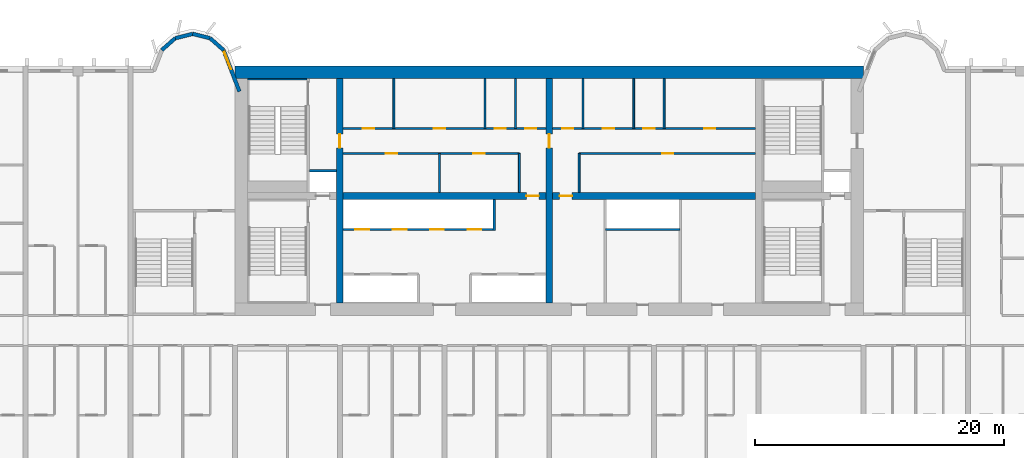
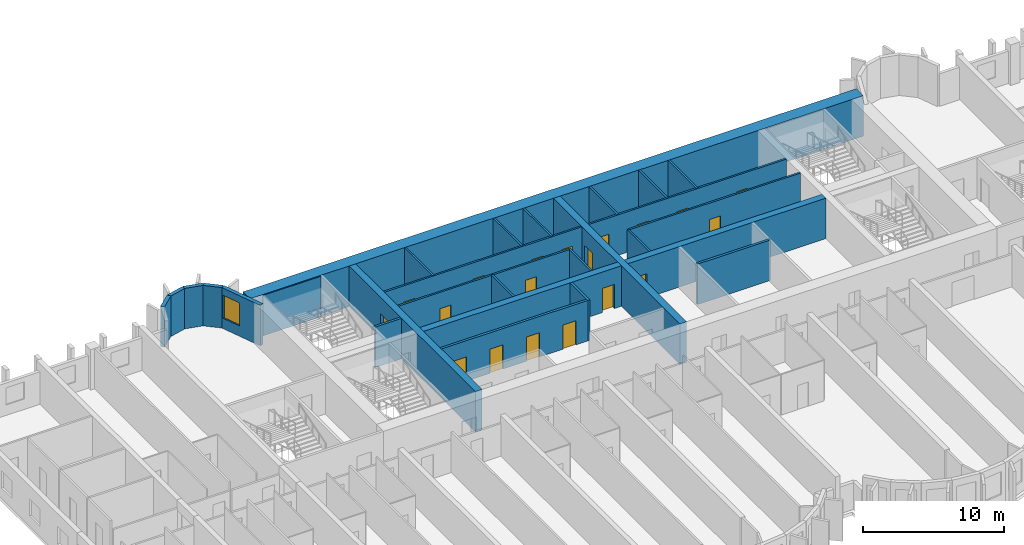
# One storey, part 7 of 15: 28 walls, 19 doors, 1 window, 20 openings.
"""IFC4 building model written with IfcOpenShell, lengths in metres."""

from ifc_helpers import new_model, si_unit, direction, frame, frame_2d, origin, place, context, subcontext, project, spatial, rectangle, extrude, source, transform, mapped, material, layer, layer_set, type_object, element, fill, save


model = new_model("IFC4")

# Units and contexts
model_context = context("Model", 3, precision=1e-05, world=origin(), true_north=direction((0.0, 1.0)))
body_context = subcontext(model_context, "Body", "Model", "MODEL_VIEW")
ifc_project = project(units=[si_unit("LENGTHUNIT", "METRE"), si_unit("AREAUNIT", "SQUARE_METRE"), si_unit("VOLUMEUNIT", "CUBIC_METRE"), si_unit("PLANEANGLEUNIT", "RADIAN"), si_unit("MASSUNIT", "GRAM", prefix="KILO")], contexts=[model_context])

# Site, building, storey
site_placement = place(None, origin())
site = spatial("IfcSite", under=ifc_project, at=site_placement, CompositionType="ELEMENT")
building_placement = place(site_placement, origin())
building = spatial("IfcBuilding", under=site, at=building_placement, Name="Vanashikhar Sky Hotel", CompositionType="ELEMENT")
storey_placement = place(building_placement, frame((0.0, 0.0, 77.199951171875)))
storey = spatial("IfcBuildingStorey", under=building, at=storey_placement, Name="L18", CompositionType="ELEMENT", Elevation=77.199951171875)

# Wall
ifc_material_1 = material(Name="Concrete M80", Category="concrete")
ifc_layer_1 = layer(ifc_material_1, 1.0)
ifc_layer_set_1 = layer_set([ifc_layer_1], Name="RC core shell wall 1000 Concrete M80")
wall_type_1 = type_object("IfcWallType", Name="RC core shell wall 1000 Concrete M80", PredefinedType="SHEAR", material=ifc_layer_set_1)
shared_shape_1 = source(origin(), body_context, "Body", "SweptSolid", [
    extrude(rectangle(XDim=50.400146484375, YDim=1.0, at=frame_2d((25.2001953125, 0.0))), origin(), (0.0, 0.0, 1.0), 3.52001953125),
])
wall_1_placement = place(storey_placement, frame((25.199951171875, 41.5, 0.0), z_axis=(0.0, 0.0, 1.0), x_axis=(1.0, 0.0, 0.0)))
element("IfcWall", 1, at=wall_1_placement, inside=storey, type_object=wall_type_1, Name="KW-L18-KN", PredefinedType="SHEAR", context=body_context, shape_type="MappedRepresentation", body=[
    mapped(shared_shape_1, transform((0.0, 0.0, 0.0), scale=1.0)),
])

# Wall, opening, door
ifc_layer_2 = layer(ifc_material_1, 0.550048828125)
ifc_layer_set_2 = layer_set([ifc_layer_2], Name="RC core inner wall 550 Concrete M80")
wall_type_2 = type_object("IfcWallType", Name="RC core inner wall 550 Concrete M80", PredefinedType="SHEAR", material=ifc_layer_set_2)
shared_shape_2 = source(origin(), body_context, "Body", "SweptSolid", [
    extrude(rectangle(XDim=18.0, YDim=0.550048828125, at=frame_2d((9.0, 0.0))), origin(), (0.0, 0.0, 1.0), 3.52001953125),
])
wall_2_placement = place(storey_placement, frame((33.60009765625, 23.0, 0.0), z_axis=(0.0, 0.0, 1.0), x_axis=(0.0, 1.0, 0.0)))
wall_2 = element("IfcWall", 2, at=wall_2_placement, inside=storey, type_object=wall_type_2, Name="KW-L18-KX1", PredefinedType="SHEAR", context=body_context, shape_type="MappedRepresentation", body=[
    mapped(shared_shape_2, transform((0.0, 0.0, 0.0), scale=1.0)),
])
shared_shape_3 = source(origin(), body_context, "Body", "SweptSolid", [
    extrude(rectangle(XDim=1.10009765625, YDim=2.10009765625, at=frame_2d((0.550048828125, 1.050048828125))), frame((0.0, 0.28515625, 0.0), z_axis=(0.0, -1.0, 0.0), x_axis=(1.0, 0.0, 0.0)), (0.0, 0.0, 1.0), 0.570068359375),
])
opening_1_placement = place(wall_2_placement, frame((12.449951171875, 0.0, 0.0)))
opening_1 = element("IfcOpeningElement", 3, at=opening_1_placement, cuts=wall_2, Name="Opening DC-4-C", PredefinedType="OPENING", context=body_context, shape_type="MappedRepresentation", body=[
    mapped(shared_shape_3, transform((0.0, 0.0, 0.0), scale=1.0)),
])
ifc_material_2 = material(Name="Steel", Category="steel")
door_type_1 = type_object("IfcDoorType", Name="Service door 1100 FD60", OperationType="NOTDEFINED", PredefinedType="DOOR", material=ifc_material_2)
shared_shape_4 = source(origin(), body_context, "Body", "SweptSolid", [
    extrude(rectangle(XDim=1.10009765625, YDim=2.10009765625, at=frame_2d((0.550048828125, 1.050048828125))), frame((0.0, 0.02490234375, 0.0), z_axis=(0.0, -1.0, 0.0), x_axis=(1.0, 0.0, 0.0)), (0.0, 0.0, 1.0), 0.050048828125),
])
door_1_placement = place(opening_1_placement, origin())
door_1 = element("IfcDoor", 4, at=door_1_placement, inside=storey, type_object=door_type_1, Name="Service door 1100 FD60", OperationType="SINGLE_SWING_LEFT", OverallHeight=2.10009765625, OverallWidth=1.10009765625, PredefinedType="DOOR", context=body_context, shape_type="MappedRepresentation", body=[
    mapped(shared_shape_4, transform((0.0, 0.0, 0.0), scale=1.0)),
])
fill(opening_1, door_1)

wall_3_placement = place(storey_placement, frame((50.39990234375, 23.0, 0.0), z_axis=(0.0, 0.0, 1.0), x_axis=(0.0, 1.0, 0.0)))
wall_3 = element("IfcWall", 5, at=wall_3_placement, inside=storey, type_object=wall_type_2, Name="KW-L18-KX2", PredefinedType="SHEAR", context=body_context, shape_type="MappedRepresentation", body=[
    mapped(shared_shape_2, transform((0.0, 0.0, 0.0), scale=1.0)),
])
opening_2_placement = place(wall_3_placement, frame((12.449951171875, 0.0, 0.0)))
opening_2 = element("IfcOpeningElement", 6, at=opening_2_placement, cuts=wall_3, Name="Opening DC-4-C", PredefinedType="OPENING", context=body_context, shape_type="MappedRepresentation", body=[
    mapped(shared_shape_3, transform((0.0, 0.0, 0.0), scale=1.0)),
])
door_2_placement = place(opening_2_placement, origin())
door_2 = element("IfcDoor", 7, at=door_2_placement, inside=storey, type_object=door_type_1, Name="Service door 1100 FD60", OperationType="SINGLE_SWING_RIGHT", OverallHeight=2.10009765625, OverallWidth=1.10009765625, PredefinedType="DOOR", context=body_context, shape_type="MappedRepresentation", body=[
    mapped(shared_shape_4, transform((0.0, 0.0, 0.0), scale=1.0)),
])
fill(opening_2, door_2)

shared_shape_5 = source(origin(), body_context, "Body", "SweptSolid", [
    extrude(rectangle(XDim=16.25, YDim=0.550048828125, at=frame_2d((8.125, 0.0))), origin(), (0.0, 0.0, 1.0), 3.52001953125),
])
wall_4_placement = place(storey_placement, frame((33.875, 31.60009765625, 0.0), z_axis=(0.0, 0.0, 1.0), x_axis=(1.0, 0.0, 0.0)))
wall_4 = element("IfcWall", 8, at=wall_4_placement, inside=storey, type_object=wall_type_2, Name="KW-L18-KY2", PredefinedType="SHEAR", context=body_context, shape_type="MappedRepresentation", body=[
    mapped(shared_shape_5, transform((0.0, 0.0, 0.0), scale=1.0)),
])
shared_shape_6 = source(origin(), body_context, "Body", "SweptSolid", [
    extrude(rectangle(XDim=1.0, YDim=2.10009765625, at=frame_2d((0.5, 1.050048828125))), frame((0.0, 0.28515625, 0.0), z_axis=(0.0, -1.0, 0.0), x_axis=(1.0, 0.0, 0.0)), (0.0, 0.0, 1.0), 0.570068359375),
])
opening_3_placement = place(wall_4_placement, frame((14.68701171875, 0.0, 0.0)))
opening_3 = element("IfcOpeningElement", 9, at=opening_3_placement, cuts=wall_4, Name="Opening DC-4", PredefinedType="OPENING", context=body_context, shape_type="MappedRepresentation", body=[
    mapped(shared_shape_6, transform((0.0, 0.0, 0.0), scale=1.0)),
])
door_type_2 = type_object("IfcDoorType", Name="Service door 1000 FD60", OperationType="NOTDEFINED", PredefinedType="DOOR", material=ifc_material_2)
shared_shape_7 = source(origin(), body_context, "Body", "SweptSolid", [
    extrude(rectangle(XDim=1.0, YDim=2.10009765625, at=frame_2d((0.5, 1.050048828125))), frame((0.0, 0.02490234375, 0.0), z_axis=(0.0, -1.0, 0.0), x_axis=(1.0, 0.0, 0.0)), (0.0, 0.0, 1.0), 0.050048828125),
])
door_3_placement = place(opening_3_placement, origin())
door_3 = element("IfcDoor", 10, at=door_3_placement, inside=storey, type_object=door_type_2, Name="Service door 1000 FD60", OperationType="SINGLE_SWING_LEFT", OverallHeight=2.10009765625, OverallWidth=1.0, PredefinedType="DOOR", context=body_context, shape_type="MappedRepresentation", body=[
    mapped(shared_shape_7, transform((0.0, 0.0, 0.0), scale=1.0)),
])
fill(opening_3, door_3)

wall_5_placement = place(storey_placement, frame((50.675048828125, 31.60009765625, 0.0), z_axis=(0.0, 0.0, 1.0), x_axis=(1.0, 0.0, 0.0)))
wall_5 = element("IfcWall", 11, at=wall_5_placement, inside=storey, type_object=wall_type_2, Name="KW-L18-KY3", PredefinedType="SHEAR", context=body_context, shape_type="MappedRepresentation", body=[
    mapped(shared_shape_5, transform((0.0, 0.0, 0.0), scale=1.0)),
])
opening_4_placement = place(wall_5_placement, frame((0.56201171875, 0.0, 0.0)))
opening_4 = element("IfcOpeningElement", 12, at=opening_4_placement, cuts=wall_5, Name="Opening DC-4", PredefinedType="OPENING", context=body_context, shape_type="MappedRepresentation", body=[
    mapped(shared_shape_6, transform((0.0, 0.0, 0.0), scale=1.0)),
])
door_4_placement = place(opening_4_placement, origin())
door_4 = element("IfcDoor", 13, at=door_4_placement, inside=storey, type_object=door_type_2, Name="Service door 1000 FD60", OperationType="SINGLE_SWING_LEFT", OverallHeight=2.10009765625, OverallWidth=1.0, PredefinedType="DOOR", context=body_context, shape_type="MappedRepresentation", body=[
    mapped(shared_shape_7, transform((0.0, 0.0, 0.0), scale=1.0)),
])
fill(opening_4, door_4)

# Wall, opening, window
ifc_material_3 = material(Name="Concrete M50", Category="concrete")
ifc_layer_3 = layer(ifc_material_3, 0.300048828125)
ifc_layer_set_3 = layer_set([ifc_layer_3], Name="Lobe wall 300")
wall_type_3 = type_object("IfcWallType", Name="Lobe wall 300", PredefinedType="SOLIDWALL", material=ifc_layer_set_3)
shared_shape_8 = source(origin(), body_context, "Body", "SweptSolid", [
    extrude(rectangle(XDim=3.55908203125, YDim=0.300048828125, at=frame_2d((1.779541015625, 0.0))), origin(), (0.0, 0.0, 1.0), 3.52001953125),
])
wall_6_placement = place(storey_placement, frame((25.550048828125, 39.968505859375, 0.0), z_axis=(0.0, 0.0, 1.0), x_axis=(-0.35779745313, 0.933799219604, 0.0)))
wall_6 = element("IfcWall", 14, at=wall_6_placement, inside=storey, type_object=wall_type_3, Name="Lobe wall", PredefinedType="SOLIDWALL", context=body_context, shape_type="MappedRepresentation", body=[
    mapped(shared_shape_8, transform((0.0, 0.0, 0.0), scale=1.0)),
])
shared_shape_9 = source(origin(), body_context, "Body", "SweptSolid", [
    extrude(rectangle(XDim=1.5, YDim=2.0, at=frame_2d((0.75, 1.0))), frame((0.0, 0.16015625, 0.0), z_axis=(0.0, -1.0, 0.0), x_axis=(1.0, 0.0, 0.0)), (0.0, 0.0, 1.0), 0.320068359375),
])
opening_5_placement = place(wall_6_placement, frame((1.9033203125, 0.0, 0.89990234375)))
opening_5 = element("IfcOpeningElement", 15, at=opening_5_placement, cuts=wall_6, Name="Opening WN-2", PredefinedType="OPENING", context=body_context, shape_type="MappedRepresentation", body=[
    mapped(shared_shape_9, transform((0.0, 0.0, 0.0), scale=1.0)),
])
ifc_material_4 = material(Name="Glass", Category="glass")
window_type = type_object("IfcWindowType", Name="Lobe window 1500 x 2000", PartitioningType="SINGLE_PANEL", PredefinedType="WINDOW", material=ifc_material_4)
shared_shape_10 = source(origin(), body_context, "Body", "SweptSolid", [
    extrude(rectangle(XDim=1.5, YDim=2.0, at=frame_2d((0.75, 1.0))), frame((0.0, 0.030029296875, 0.0), z_axis=(0.0, -1.0, 0.0), x_axis=(1.0, 0.0, 0.0)), (0.0, 0.0, 1.0), 0.06005859375),
])
window_placement = place(opening_5_placement, origin())
window = element("IfcWindow", 16, at=window_placement, inside=storey, type_object=window_type, Name="Window WN-2", OverallHeight=2.0, OverallWidth=1.5, PartitioningType="SINGLE_PANEL", PredefinedType="WINDOW", context=body_context, shape_type="MappedRepresentation", body=[
    mapped(shared_shape_10, transform((0.0, 0.0, 0.0), scale=1.0)),
])
fill(opening_5, window)

# Walls
shared_shape_11 = source(origin(), body_context, "Body", "SweptSolid", [
    extrude(rectangle(XDim=1.440185546875, YDim=0.300048828125, at=frame_2d((0.72021484375, 0.0))), origin(), (0.0, 0.0, 1.0), 3.52001953125),
])
wall_7_placement = place(storey_placement, frame((24.276611328125, 43.2919921875, 0.0), z_axis=(0.0, 0.0, 1.0), x_axis=(-0.749649827867, 0.661834673902, 0.0)))
element("IfcWall", 17, at=wall_7_placement, inside=storey, type_object=wall_type_3, Name="Lobe wall", PredefinedType="SOLIDWALL", context=body_context, shape_type="MappedRepresentation", body=[
    mapped(shared_shape_11, transform((0.0, 0.0, 0.0), scale=1.0)),
])
shared_shape_12 = source(origin(), body_context, "Body", "SweptSolid", [
    extrude(rectangle(XDim=1.4384765625, YDim=0.300048828125, at=frame_2d((0.71923828125, 0.0))), origin(), (0.0, 0.0, 1.0), 3.52001953125),
])
wall_8_placement = place(storey_placement, frame((23.197021484375, 44.2451171875, 0.0), z_axis=(0.0, 0.0, 1.0), x_axis=(-0.971152283879, 0.238460146601, 0.0)))
element("IfcWall", 18, at=wall_8_placement, inside=storey, type_object=wall_type_3, Name="Lobe wall", PredefinedType="SOLIDWALL", context=body_context, shape_type="MappedRepresentation", body=[
    mapped(shared_shape_12, transform((0.0, 0.0, 0.0), scale=1.0)),
])
shared_shape_13 = source(origin(), body_context, "Body", "SweptSolid", [
    extrude(rectangle(XDim=1.438720703125, YDim=0.300048828125, at=frame_2d((0.71923828125, 0.0))), origin(), (0.0, 0.0, 1.0), 3.52001953125),
])
wall_9_placement = place(storey_placement, frame((21.800048828125, 44.588134765625, 0.0), z_axis=(0.0, 0.0, 1.0), x_axis=(-0.971161932466, -0.238420848351, 0.0)))
element("IfcWall", 19, at=wall_9_placement, inside=storey, type_object=wall_type_3, Name="Lobe wall", PredefinedType="SOLIDWALL", context=body_context, shape_type="MappedRepresentation", body=[
    mapped(shared_shape_13, transform((0.0, 0.0, 0.0), scale=1.0)),
])
shared_shape_14 = source(origin(), body_context, "Body", "SweptSolid", [
    extrude(rectangle(XDim=1.43994140625, YDim=0.300048828125, at=frame_2d((0.719970703125, 0.0))), origin(), (0.0, 0.0, 1.0), 3.52001953125),
])
wall_10_placement = place(storey_placement, frame((20.40283203125, 44.2451171875, 0.0), z_axis=(0.0, 0.0, 1.0), x_axis=(-0.74957555648, -0.661918790432, 0.0)))
element("IfcWall", 20, at=wall_10_placement, inside=storey, type_object=wall_type_3, Name="Lobe wall", PredefinedType="SOLIDWALL", context=body_context, shape_type="MappedRepresentation", body=[
    mapped(shared_shape_14, transform((0.0, 0.0, 0.0), scale=1.0)),
])
ifc_material_5 = material(Name="Concrete M40", Category="concrete")
ifc_layer_4 = layer(ifc_material_5, 0.199951171875)
ifc_layer_set_4 = layer_set([ifc_layer_4], Name="Shaft wall 200")
wall_type_4 = type_object("IfcWallType", Name="Shaft wall 200", PredefinedType="SOLIDWALL", material=ifc_layer_set_4)
shared_shape_15 = source(origin(), body_context, "Body", "SweptSolid", [
    extrude(rectangle(XDim=6.0, YDim=0.199951171875, at=frame_2d((3.0, 0.0))), origin(), (0.0, 0.0, 1.0), 3.52001953125),
])
wall_11_placement = place(storey_placement, frame((60.89990234375, 28.89990234375, 0.0), z_axis=(0.0, 0.0, 1.0), x_axis=(-1.0, 0.0, 0.0)))
element("IfcWall", 21, at=wall_11_placement, inside=storey, type_object=wall_type_4, Name="Shaft wall 200", PredefinedType="SOLIDWALL", context=body_context, shape_type="MappedRepresentation", body=[
    mapped(shared_shape_15, transform((0.0, 0.0, 0.0), scale=1.0)),
])
ifc_layer_5 = layer(ifc_material_3, 0.10009765625)
ifc_layer_set_5 = layer_set([ifc_layer_5], Name="Stair infill wall 100")
wall_type_5 = type_object("IfcWallType", Name="Stair infill wall 100", PredefinedType="SOLIDWALL", material=ifc_layer_set_5)
shared_shape_16 = source(origin(), body_context, "Body", "SweptSolid", [
    extrude(rectangle(XDim=4.75, YDim=0.10009765625, at=frame_2d((2.375, 0.0))), origin(), (0.0, 0.0, 1.0), 3.52001953125),
])
wall_12_placement = place(storey_placement, frame((26.199951171875, 40.949951171875, 0.0), z_axis=(0.0, 0.0, 1.0), x_axis=(1.0, 0.0, 0.0)))
element("IfcWall", 22, at=wall_12_placement, inside=storey, type_object=wall_type_5, Name="Stair infill wall 100", PredefinedType="SOLIDWALL", context=body_context, shape_type="MappedRepresentation", body=[
    mapped(shared_shape_16, transform((0.0, 0.0, 0.0), scale=1.0)),
])

# Wall, openings, doors
shared_shape_17 = source(origin(), body_context, "Body", "SweptSolid", [
    extrude(rectangle(XDim=12.02490234375, YDim=0.199951171875, at=frame_2d((6.012451171875, 0.0))), origin(), (0.0, 0.0, 1.0), 3.52001953125),
])
wall_13_placement = place(storey_placement, frame((33.875, 28.89990234375, 0.0), z_axis=(0.0, 0.0, 1.0), x_axis=(1.0, 0.0, 0.0)))
wall_13 = element("IfcWall", 23, at=wall_13_placement, inside=storey, type_object=wall_type_4, Name="Shaft wall 200", PredefinedType="SOLIDWALL", context=body_context, shape_type="MappedRepresentation", body=[
    mapped(shared_shape_17, transform((0.0, 0.0, 0.0), scale=1.0)),
])
shared_shape_18 = source(origin(), body_context, "Body", "SweptSolid", [
    extrude(rectangle(XDim=1.10009765625, YDim=2.10009765625, at=frame_2d((0.550048828125, 1.050048828125))), frame((0.0, 0.10986328125, 0.0), z_axis=(0.0, -1.0, 0.0), x_axis=(1.0, 0.0, 0.0)), (0.0, 0.0, 1.0), 0.219970703125),
])
opening_6_placement = place(wall_13_placement, frame((0.97509765625, 0.0, 0.0)))
opening_6 = element("IfcOpeningElement", 24, at=opening_6_placement, cuts=wall_13, Name="Opening LD", PredefinedType="OPENING", context=body_context, shape_type="MappedRepresentation", body=[
    mapped(shared_shape_18, transform((0.0, 0.0, 0.0), scale=1.0)),
])
opening_7_placement = place(wall_13_placement, frame((3.97509765625, 0.0, 0.0)))
opening_7 = element("IfcOpeningElement", 25, at=opening_7_placement, cuts=wall_13, Name="Opening LD", PredefinedType="OPENING", context=body_context, shape_type="MappedRepresentation", body=[
    mapped(shared_shape_18, transform((0.0, 0.0, 0.0), scale=1.0)),
])
opening_8_placement = place(wall_13_placement, frame((6.97509765625, 0.0, 0.0)))
opening_8 = element("IfcOpeningElement", 26, at=opening_8_placement, cuts=wall_13, Name="Opening LD", PredefinedType="OPENING", context=body_context, shape_type="MappedRepresentation", body=[
    mapped(shared_shape_18, transform((0.0, 0.0, 0.0), scale=1.0)),
])
opening_9_placement = place(wall_13_placement, frame((9.97509765625, 0.0, 0.0)))
opening_9 = element("IfcOpeningElement", 27, at=opening_9_placement, cuts=wall_13, Name="Opening LD", PredefinedType="OPENING", context=body_context, shape_type="MappedRepresentation", body=[
    mapped(shared_shape_18, transform((0.0, 0.0, 0.0), scale=1.0)),
])
ifc_material_6 = material(Name="Stainless steel", Category="steel")
door_type_3 = type_object("IfcDoorType", Name="Lift landing door 1100", OperationType="NOTDEFINED", PredefinedType="DOOR", material=ifc_material_6)
door_5_placement = place(opening_6_placement, origin())
door_5 = element("IfcDoor", 28, at=door_5_placement, inside=storey, type_object=door_type_3, Name="Lift landing door 1100", OperationType="SLIDING_TO_LEFT", OverallHeight=2.10009765625, OverallWidth=1.10009765625, PredefinedType="DOOR", context=body_context, shape_type="MappedRepresentation", body=[
    mapped(shared_shape_4, transform((0.0, 0.0, 0.0), scale=1.0)),
])
fill(opening_6, door_5)
door_6_placement = place(opening_7_placement, origin())
door_6 = element("IfcDoor", 29, at=door_6_placement, inside=storey, type_object=door_type_3, Name="Lift landing door 1100", OperationType="SLIDING_TO_RIGHT", OverallHeight=2.10009765625, OverallWidth=1.10009765625, PredefinedType="DOOR", context=body_context, shape_type="MappedRepresentation", body=[
    mapped(shared_shape_4, transform((0.0, 0.0, 0.0), scale=1.0)),
])
fill(opening_7, door_6)
door_7_placement = place(opening_8_placement, origin())
door_7 = element("IfcDoor", 30, at=door_7_placement, inside=storey, type_object=door_type_3, Name="Lift landing door 1100", OperationType="SLIDING_TO_LEFT", OverallHeight=2.10009765625, OverallWidth=1.10009765625, PredefinedType="DOOR", context=body_context, shape_type="MappedRepresentation", body=[
    mapped(shared_shape_4, transform((0.0, 0.0, 0.0), scale=1.0)),
])
fill(opening_8, door_7)
door_8_placement = place(opening_9_placement, origin())
door_8 = element("IfcDoor", 31, at=door_8_placement, inside=storey, type_object=door_type_3, Name="Lift landing door 1100", OperationType="SLIDING_TO_RIGHT", OverallHeight=2.10009765625, OverallWidth=1.10009765625, PredefinedType="DOOR", context=body_context, shape_type="MappedRepresentation", body=[
    mapped(shared_shape_4, transform((0.0, 0.0, 0.0), scale=1.0)),
])
fill(opening_9, door_8)

# Walls
shared_shape_19 = source(origin(), body_context, "Body", "SweptSolid", [
    extrude(rectangle(XDim=2.52490234375, YDim=0.199951171875, at=frame_2d((1.262451171875, 0.0))), origin(), (0.0, 0.0, 1.0), 3.52001953125),
])
wall_14_placement = place(storey_placement, frame((46.0, 28.800048828125, 0.0), z_axis=(0.0, 0.0, 1.0), x_axis=(0.0, 1.0, 0.0)))
element("IfcWall", 32, at=wall_14_placement, inside=storey, type_object=wall_type_4, Name="Shaft wall 200", PredefinedType="SOLIDWALL", context=body_context, shape_type="MappedRepresentation", body=[
    mapped(shared_shape_19, transform((0.0, 0.0, 0.0), scale=1.0)),
])
ifc_material_7 = material(Name="Gypsum board partition")
ifc_layer_6 = layer(ifc_material_7, 0.14990234375)
ifc_layer_set_6 = layer_set([ifc_layer_6], Name="Service partition 150")
wall_type_6 = type_object("IfcWallType", Name="Service partition 150", PredefinedType="PARTITIONING", material=ifc_layer_set_6)
shared_shape_20 = source(origin(), body_context, "Body", "SweptSolid", [
    extrude(rectangle(XDim=3.125, YDim=0.14990234375, at=frame_2d((1.5625, 0.0))), origin(), (0.0, 0.0, 1.0), 3.52001953125),
])
for number, where, z_axis, x_axis, name in (
    (33, (48.0, 31.875, 0.0), (0.0, 0.0, 1.0), (0.0, 1.0, 0.0), "Service partition 150"),
    (34, (41.60205078125, 31.875, 0.0), (0.0, 0.0, 1.0), (0.0, 1.0, 0.0), "Service partition 150"),
    (35, (52.800048828125, 31.875, 0.0), (0.0, 0.0, 1.0), (0.0, 1.0, 0.0), "Service partition 150"),
):
    element("IfcWall", number, at=place(storey_placement, frame(where, z_axis=z_axis, x_axis=x_axis)), inside=storey, type_object=wall_type_6, Name=name, PredefinedType="PARTITIONING", context=body_context, shape_type="MappedRepresentation", body=[
        mapped(shared_shape_20, transform((0.0, 0.0, 0.0), scale=1.0)),
    ])

# Wall, openings, doors
shared_shape_21 = source(origin(), body_context, "Body", "SweptSolid", [
    extrude(rectangle(XDim=14.125, YDim=0.14990234375, at=frame_2d((7.0625, 0.0))), origin(), (0.0, 0.0, 1.0), 3.52001953125),
])
wall_15_placement = place(storey_placement, frame((33.875, 35.0, 0.0), z_axis=(0.0, 0.0, 1.0), x_axis=(1.0, 0.0, 0.0)))
wall_15 = element("IfcWall", 36, at=wall_15_placement, inside=storey, type_object=wall_type_6, Name="Service partition 150", PredefinedType="PARTITIONING", context=body_context, shape_type="MappedRepresentation", body=[
    mapped(shared_shape_21, transform((0.0, 0.0, 0.0), scale=1.0)),
])
shared_shape_22 = source(origin(), body_context, "Body", "SweptSolid", [
    extrude(rectangle(XDim=0.89990234375, YDim=2.10009765625, at=frame_2d((0.449951171875, 1.050048828125))), frame((0.0, 0.0849609375, 0.0), z_axis=(0.0, -1.0, 0.0), x_axis=(1.0, 0.0, 0.0)), (0.0, 0.0, 1.0), 0.169921875),
])
opening_10_placement = place(wall_15_placement, frame((3.4140625, 0.0, 0.0)))
opening_10 = element("IfcOpeningElement", 37, at=opening_10_placement, cuts=wall_15, Name="Opening DC-4-A", PredefinedType="OPENING", context=body_context, shape_type="MappedRepresentation", body=[
    mapped(shared_shape_22, transform((0.0, 0.0, 0.0), scale=1.0)),
])
opening_11_placement = place(wall_15_placement, frame((10.43896484375, 0.0, 0.0)))
opening_11 = element("IfcOpeningElement", 38, at=opening_11_placement, cuts=wall_15, Name="Opening DC-4-A", PredefinedType="OPENING", context=body_context, shape_type="MappedRepresentation", body=[
    mapped(shared_shape_22, transform((0.0, 0.0, 0.0), scale=1.0)),
])
door_type_4 = type_object("IfcDoorType", Name="Service door 900 FD60", OperationType="NOTDEFINED", PredefinedType="DOOR", material=ifc_material_2)
shared_shape_23 = source(origin(), body_context, "Body", "SweptSolid", [
    extrude(rectangle(XDim=0.89990234375, YDim=2.10009765625, at=frame_2d((0.449951171875, 1.050048828125))), frame((0.0, 0.02490234375, 0.0), z_axis=(0.0, -1.0, 0.0), x_axis=(1.0, 0.0, 0.0)), (0.0, 0.0, 1.0), 0.050048828125),
])
door_9_placement = place(opening_10_placement, origin())
door_9 = element("IfcDoor", 39, at=door_9_placement, inside=storey, type_object=door_type_4, Name="Service door 900 FD60", OperationType="SINGLE_SWING_RIGHT", OverallHeight=2.10009765625, OverallWidth=0.89990234375, PredefinedType="DOOR", context=body_context, shape_type="MappedRepresentation", body=[
    mapped(shared_shape_23, transform((0.0, 0.0, 0.0), scale=1.0)),
])
fill(opening_10, door_9)
door_10_placement = place(opening_11_placement, origin())
door_10 = element("IfcDoor", 40, at=door_10_placement, inside=storey, type_object=door_type_4, Name="Service door 900 FD60", OperationType="SINGLE_SWING_RIGHT", OverallHeight=2.10009765625, OverallWidth=0.89990234375, PredefinedType="DOOR", context=body_context, shape_type="MappedRepresentation", body=[
    mapped(shared_shape_23, transform((0.0, 0.0, 0.0), scale=1.0)),
])
fill(opening_11, door_10)

# Wall, opening, door
wall_16_placement = place(storey_placement, frame((66.925048828125, 35.0, 0.0), z_axis=(0.0, 0.0, 1.0), x_axis=(-1.0, 0.0, 0.0)))
wall_16 = element("IfcWall", 41, at=wall_16_placement, inside=storey, type_object=wall_type_6, Name="Service partition 150", PredefinedType="PARTITIONING", context=body_context, shape_type="MappedRepresentation", body=[
    mapped(shared_shape_21, transform((0.0, 0.0, 0.0), scale=1.0)),
])
opening_12_placement = place(wall_16_placement, frame((6.574951171875, 0.0, 0.0)))
opening_12 = element("IfcOpeningElement", 42, at=opening_12_placement, cuts=wall_16, Name="Opening DC-4-A", PredefinedType="OPENING", context=body_context, shape_type="MappedRepresentation", body=[
    mapped(shared_shape_22, transform((0.0, 0.0, 0.0), scale=1.0)),
])
door_11_placement = place(opening_12_placement, origin())
door_11 = element("IfcDoor", 43, at=door_11_placement, inside=storey, type_object=door_type_4, Name="Service door 900 FD60", OperationType="SINGLE_SWING_RIGHT", OverallHeight=2.10009765625, OverallWidth=0.89990234375, PredefinedType="DOOR", context=body_context, shape_type="MappedRepresentation", body=[
    mapped(shared_shape_23, transform((0.0, 0.0, 0.0), scale=1.0)),
])
fill(opening_12, door_11)

# Wall, openings, doors
shared_shape_24 = source(origin(), body_context, "Body", "SweptSolid", [
    extrude(rectangle(XDim=16.25, YDim=0.14990234375, at=frame_2d((8.125, 0.0))), origin(), (0.0, 0.0, 1.0), 3.52001953125),
])
wall_17_placement = place(storey_placement, frame((33.875, 37.0, 0.0), z_axis=(0.0, 0.0, 1.0), x_axis=(1.0, 0.0, 0.0)))
wall_17 = element("IfcWall", 44, at=wall_17_placement, inside=storey, type_object=wall_type_6, Name="Service partition 150", PredefinedType="PARTITIONING", context=body_context, shape_type="MappedRepresentation", body=[
    mapped(shared_shape_24, transform((0.0, 0.0, 0.0), scale=1.0)),
])
opening_13_placement = place(wall_17_placement, frame((1.5810546875, 0.0, 0.0)))
opening_13 = element("IfcOpeningElement", 45, at=opening_13_placement, cuts=wall_17, Name="Opening DC-4-A", PredefinedType="OPENING", context=body_context, shape_type="MappedRepresentation", body=[
    mapped(shared_shape_22, transform((0.0, 0.0, 0.0), scale=1.0)),
])
opening_14_placement = place(wall_17_placement, frame((7.26904296875, 0.0, 0.0)))
opening_14 = element("IfcOpeningElement", 46, at=opening_14_placement, cuts=wall_17, Name="Opening DC-4-A", PredefinedType="OPENING", context=body_context, shape_type="MappedRepresentation", body=[
    mapped(shared_shape_22, transform((0.0, 0.0, 0.0), scale=1.0)),
])
opening_15_placement = place(wall_17_placement, frame((12.14404296875, 0.0, 0.0)))
opening_15 = element("IfcOpeningElement", 47, at=opening_15_placement, cuts=wall_17, Name="Opening DC-4-A", PredefinedType="OPENING", context=body_context, shape_type="MappedRepresentation", body=[
    mapped(shared_shape_22, transform((0.0, 0.0, 0.0), scale=1.0)),
])
opening_16_placement = place(wall_17_placement, frame((14.5810546875, 0.0, 0.0)))
opening_16 = element("IfcOpeningElement", 48, at=opening_16_placement, cuts=wall_17, Name="Opening DC-4-A", PredefinedType="OPENING", context=body_context, shape_type="MappedRepresentation", body=[
    mapped(shared_shape_22, transform((0.0, 0.0, 0.0), scale=1.0)),
])
door_12_placement = place(opening_13_placement, origin())
door_12 = element("IfcDoor", 49, at=door_12_placement, inside=storey, type_object=door_type_4, Name="Service door 900 FD60", OperationType="SINGLE_SWING_RIGHT", OverallHeight=2.10009765625, OverallWidth=0.89990234375, PredefinedType="DOOR", context=body_context, shape_type="MappedRepresentation", body=[
    mapped(shared_shape_23, transform((0.0, 0.0, 0.0), scale=1.0)),
])
fill(opening_13, door_12)
door_13_placement = place(opening_14_placement, origin())
door_13 = element("IfcDoor", 50, at=door_13_placement, inside=storey, type_object=door_type_4, Name="Service door 900 FD60", OperationType="SINGLE_SWING_RIGHT", OverallHeight=2.10009765625, OverallWidth=0.89990234375, PredefinedType="DOOR", context=body_context, shape_type="MappedRepresentation", body=[
    mapped(shared_shape_23, transform((0.0, 0.0, 0.0), scale=1.0)),
])
fill(opening_14, door_13)
door_14_placement = place(opening_15_placement, origin())
door_14 = element("IfcDoor", 51, at=door_14_placement, inside=storey, type_object=door_type_4, Name="Service door 900 FD60", OperationType="SINGLE_SWING_RIGHT", OverallHeight=2.10009765625, OverallWidth=0.89990234375, PredefinedType="DOOR", context=body_context, shape_type="MappedRepresentation", body=[
    mapped(shared_shape_23, transform((0.0, 0.0, 0.0), scale=1.0)),
])
fill(opening_15, door_14)
door_15_placement = place(opening_16_placement, origin())
door_15 = element("IfcDoor", 52, at=door_15_placement, inside=storey, type_object=door_type_4, Name="Service door 900 FD60", OperationType="SINGLE_SWING_LEFT", OverallHeight=2.10009765625, OverallWidth=0.89990234375, PredefinedType="DOOR", context=body_context, shape_type="MappedRepresentation", body=[
    mapped(shared_shape_23, transform((0.0, 0.0, 0.0), scale=1.0)),
])
fill(opening_16, door_15)

wall_18_placement = place(storey_placement, frame((66.925048828125, 37.0, 0.0), z_axis=(0.0, 0.0, 1.0), x_axis=(-1.0, 0.0, 0.0)))
wall_18 = element("IfcWall", 53, at=wall_18_placement, inside=storey, type_object=wall_type_6, Name="Service partition 150", PredefinedType="PARTITIONING", context=body_context, shape_type="MappedRepresentation", body=[
    mapped(shared_shape_24, transform((0.0, 0.0, 0.0), scale=1.0)),
])
opening_17_placement = place(wall_18_placement, frame((3.2060546875, 0.0, 0.0)))
opening_17 = element("IfcOpeningElement", 54, at=opening_17_placement, cuts=wall_18, Name="Opening DC-4-A", PredefinedType="OPENING", context=body_context, shape_type="MappedRepresentation", body=[
    mapped(shared_shape_22, transform((0.0, 0.0, 0.0), scale=1.0)),
])
opening_18_placement = place(wall_18_placement, frame((8.0810546875, 0.0, 0.0)))
opening_18 = element("IfcOpeningElement", 55, at=opening_18_placement, cuts=wall_18, Name="Opening DC-4-A", PredefinedType="OPENING", context=body_context, shape_type="MappedRepresentation", body=[
    mapped(shared_shape_22, transform((0.0, 0.0, 0.0), scale=1.0)),
])
opening_19_placement = place(wall_18_placement, frame((11.3310546875, 0.0, 0.0)))
opening_19 = element("IfcOpeningElement", 56, at=opening_19_placement, cuts=wall_18, Name="Opening DC-4-A", PredefinedType="OPENING", context=body_context, shape_type="MappedRepresentation", body=[
    mapped(shared_shape_22, transform((0.0, 0.0, 0.0), scale=1.0)),
])
opening_20_placement = place(wall_18_placement, frame((14.5810546875, 0.0, 0.0)))
opening_20 = element("IfcOpeningElement", 57, at=opening_20_placement, cuts=wall_18, Name="Opening DC-4-A", PredefinedType="OPENING", context=body_context, shape_type="MappedRepresentation", body=[
    mapped(shared_shape_22, transform((0.0, 0.0, 0.0), scale=1.0)),
])
door_16_placement = place(opening_17_placement, origin())
door_16 = element("IfcDoor", 58, at=door_16_placement, inside=storey, type_object=door_type_4, Name="Service door 900 FD60", OperationType="SINGLE_SWING_LEFT", OverallHeight=2.10009765625, OverallWidth=0.89990234375, PredefinedType="DOOR", context=body_context, shape_type="MappedRepresentation", body=[
    mapped(shared_shape_23, transform((0.0, 0.0, 0.0), scale=1.0)),
])
fill(opening_17, door_16)
door_17_placement = place(opening_18_placement, origin())
door_17 = element("IfcDoor", 59, at=door_17_placement, inside=storey, type_object=door_type_4, Name="Service door 900 FD60", OperationType="SINGLE_SWING_LEFT", OverallHeight=2.10009765625, OverallWidth=0.89990234375, PredefinedType="DOOR", context=body_context, shape_type="MappedRepresentation", body=[
    mapped(shared_shape_23, transform((0.0, 0.0, 0.0), scale=1.0)),
])
fill(opening_18, door_17)
door_18_placement = place(opening_19_placement, origin())
door_18 = element("IfcDoor", 60, at=door_18_placement, inside=storey, type_object=door_type_4, Name="Service door 900 FD60", OperationType="SINGLE_SWING_LEFT", OverallHeight=2.10009765625, OverallWidth=0.89990234375, PredefinedType="DOOR", context=body_context, shape_type="MappedRepresentation", body=[
    mapped(shared_shape_23, transform((0.0, 0.0, 0.0), scale=1.0)),
])
fill(opening_19, door_18)
door_19_placement = place(opening_20_placement, origin())
door_19 = element("IfcDoor", 61, at=door_19_placement, inside=storey, type_object=door_type_4, Name="Service door 900 FD60", OperationType="SINGLE_SWING_RIGHT", OverallHeight=2.10009765625, OverallWidth=0.89990234375, PredefinedType="DOOR", context=body_context, shape_type="MappedRepresentation", body=[
    mapped(shared_shape_23, transform((0.0, 0.0, 0.0), scale=1.0)),
])
fill(opening_20, door_19)

# Walls
shared_shape_25 = source(origin(), body_context, "Body", "SweptSolid", [
    extrude(rectangle(XDim=4.0, YDim=0.14990234375, at=frame_2d((2.0, 0.0))), origin(), (0.0, 0.0, 1.0), 3.52001953125),
])
for number, where, z_axis, x_axis, name in (
    (62, (37.93798828125, 37.0, 0.0), (0.0, 0.0, 1.0), (0.0, 1.0, 0.0), "Service partition 150"),
    (63, (45.25, 37.0, 0.0), (0.0, 0.0, 1.0), (0.0, 1.0, 0.0), "Service partition 150"),
    (64, (47.68798828125, 37.0, 0.0), (0.0, 0.0, 1.0), (0.0, 1.0, 0.0), "Service partition 150"),
    (65, (59.612060546875, 37.0, 0.0), (0.0, 0.0, 1.0), (0.0, 1.0, 0.0), "Service partition 150"),
    (66, (57.175048828125, 37.0, 0.0), (0.0, 0.0, 1.0), (0.0, 1.0, 0.0), "Service partition 150"),
    (67, (53.112060546875, 37.0, 0.0), (0.0, 0.0, 1.0), (0.0, 1.0, 0.0), "Service partition 150"),
):
    element("IfcWall", number, at=place(storey_placement, frame(where, z_axis=z_axis, x_axis=x_axis)), inside=storey, type_object=wall_type_6, Name=name, PredefinedType="PARTITIONING", context=body_context, shape_type="MappedRepresentation", body=[
        mapped(shared_shape_25, transform((0.0, 0.0, 0.0), scale=1.0)),
    ])
shared_shape_26 = source(origin(), body_context, "Body", "SweptSolid", [
    extrude(rectangle(XDim=2.175048828125, YDim=0.199951171875, at=frame_2d((1.08740234375, 0.0))), origin(), (0.0, 0.0, 1.0), 3.52001953125),
])
wall_19_placement = place(storey_placement, frame((31.14990234375, 33.60009765625, 0.0), z_axis=(0.0, 0.0, 1.0), x_axis=(1.0, 0.0, 0.0)))
element("IfcWall", 68, at=wall_19_placement, inside=storey, type_object=wall_type_4, Name="Shaft wall 200", PredefinedType="SOLIDWALL", context=body_context, shape_type="MappedRepresentation", body=[
    mapped(shared_shape_26, transform((0.0, 0.0, 0.0), scale=1.0)),
])

save(model, "model.ifc")
